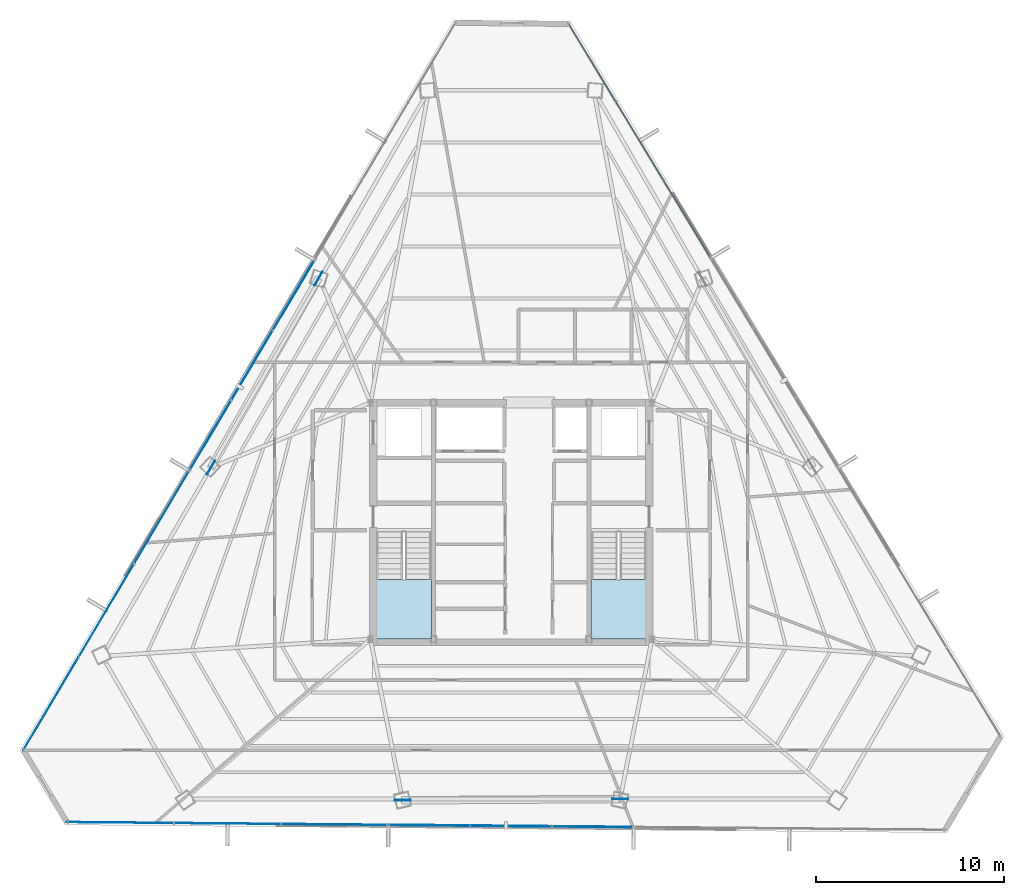
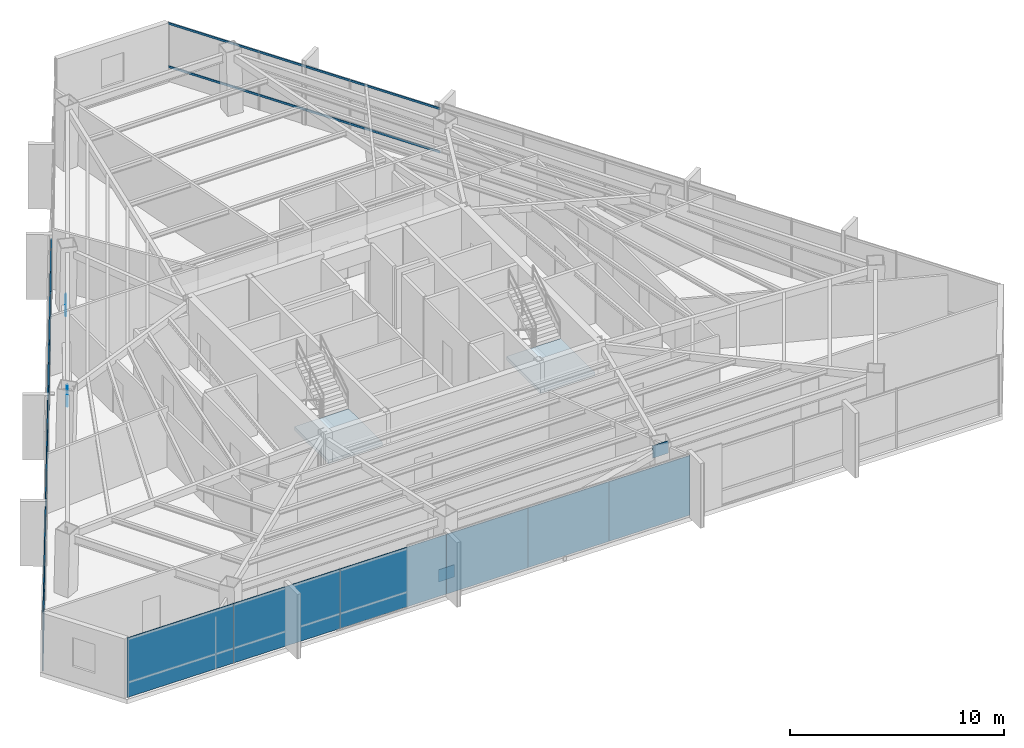
# One storey, part 38 of 47: 16 plates, 2 members, 2 slabs, 7 elements without a shape of their own.
"""IFC4 building model written with IfcOpenShell, lengths in metres."""

from ifc_helpers import new_model, si_unit, direction, frame, origin, origin_2d, place, context, subcontext, project, spatial, polyline, rectangle, hollow_rectangle, outline, extrude, source, transform, mapped, material, layer, layer_set, material_profile, profile_set, type_object, type_shapes, element, aggregate, save


model = new_model("IFC4")

# Units and contexts
model_context = context("Model", 3, precision=1e-05, world=origin(), true_north=direction((0.0, 1.0)))
body_context = subcontext(model_context, "Body", "Model", "MODEL_VIEW")
ifc_project = project(units=[si_unit("LENGTHUNIT", "METRE"), si_unit("AREAUNIT", "SQUARE_METRE"), si_unit("VOLUMEUNIT", "CUBIC_METRE"), si_unit("PLANEANGLEUNIT", "RADIAN"), si_unit("MASSUNIT", "GRAM", prefix="KILO")], contexts=[model_context])

# Site, building, storey
site_placement = place(None, origin())
site = spatial("IfcSite", under=ifc_project, at=site_placement, CompositionType="ELEMENT")
building_placement = place(site_placement, origin())
building = spatial("IfcBuilding", under=site, at=building_placement, Name="Caelisora Broadcast Tower", CompositionType="ELEMENT")
storey_placement = place(building_placement, frame((0.0, 0.0, 229.85009765625)))
storey = spatial("IfcBuildingStorey", under=building, at=storey_placement, Name="L60", CompositionType="ELEMENT", Elevation=229.85009765625)

# Curtain wall, members
ifc_material_1 = material(Name="Unitised Aluminium and Low-E Glass Curtain Wall", Category="glass")
curtain_wall_type_1 = type_object("IfcCurtainWallType", Name="CW-Z5", PredefinedType="NOTDEFINED", material=ifc_material_1)
curtain_wall_1_placement = place(storey_placement, origin())
curtain_wall_1 = element("IfcCurtainWall", 1, at=curtain_wall_1_placement, inside=storey, type_object=curtain_wall_type_1, Name="L60 curtain wall CW-Z5", PredefinedType="NOTDEFINED")
ifc_material_2 = material(Name="Aluminium 6063-T6 Anodised Terracotta Bronze", Category="aluminium")
ifc_material_profile = material_profile(ifc_material_2, hollow_rectangle(XDim=0.06005859375, YDim=0.1201171875, WallThickness=0.0029296875, at=origin_2d()), Name="Aluminium 6063-T6 Anodised Terracotta Bronze")
ifc_profile_set = profile_set([ifc_material_profile], Name="Aluminium 6063-T6 Anodised Terracotta Bronze")
member_type = type_object("IfcMemberType", Name="CWT-03", PredefinedType="USERDEFINED", material=ifc_profile_set)
shared_shape_1 = source(origin(), body_context, "Body", "SweptSolid", [
    extrude(hollow_rectangle(XDim=0.06005859375, YDim=0.1201171875, WallThickness=0.0029296875, at=origin_2d()), origin(), (0.0, 0.0, 1.0), 14.48876953125),
])
type_shapes(member_type, [shared_shape_1])
member_1_placement = place(storey_placement, frame((41.0869140625, 50.14013671875, 0.849853515625), z_axis=(0.518432789171, -0.85511837959, 0.0), x_axis=(0.85511837959, 0.518432789171, 0.0)))
member_1 = element("IfcMember", 2, at=member_1_placement, type_object=member_type, Name="L60-CW-B01 transom #1", ObjectType="TRANSOM", PredefinedType="USERDEFINED", context=body_context, shape_type="MappedRepresentation", body=[
    mapped(shared_shape_1, transform((0.0, 0.0, 0.0), scale=1.0)),
])
member_2_placement = place(storey_placement, frame((41.0869140625, 50.14013671875, 3.31982421875), z_axis=(0.518432789171, -0.85511837959, 0.0), x_axis=(0.85511837959, 0.518432789171, 0.0)))
member_2 = element("IfcMember", 3, at=member_2_placement, type_object=member_type, Name="L60-CW-B01 transom #2", ObjectType="TRANSOM", PredefinedType="USERDEFINED", context=body_context, shape_type="MappedRepresentation", body=[
    mapped(shared_shape_1, transform((0.0, 0.0, 0.0), scale=1.0)),
])
aggregate(curtain_wall_1, [member_1, member_2])

# Stair, slab
ifc_material_3 = material(Name="Concrete 40 MPa (AS 3600 N40)", Category="concrete")
stair_type_1 = type_object("IfcStairType", Name="ST-1", PredefinedType="HALF_TURN_STAIR", material=ifc_material_3)
stair_1_placement = place(storey_placement, origin())
stair_1 = element("IfcStair", 4, at=stair_1_placement, inside=storey, type_object=stair_type_1, Name="L60 West Fire-Isolated Tower Stair", PredefinedType="HALF_TURN_STAIR")
ifc_layer_1 = layer(ifc_material_3, 0.199951171875, Name="Concrete 40 MPa (AS 3600 N40)")
ifc_layer_set_1 = layer_set([ifc_layer_1], Name="Concrete 40 MPa (AS 3600 N40)")
slab_type = type_object("IfcSlabType", Name="STL-1", PredefinedType="LANDING", material=ifc_layer_set_1)
slab_1_placement = place(storey_placement, frame((0.0, 0.0, 1.625)))
slab_1 = element("IfcSlab", 5, at=slab_1_placement, type_object=slab_type, Name="ST-1 landing 1", PredefinedType="LANDING", context=body_context, shape_type="SweptSolid", body=[
    extrude(outline(polyline([(30.820068359375, 20.580078125), (30.820068359375, 17.39990234375), (33.739990234375, 17.39990234375), (33.739990234375, 20.580078125), (30.820068359375, 20.580078125)])), origin(), (0.0, 0.0, 1.0), 0.199951171875),
])
aggregate(stair_1, [slab_1])

stair_type_2 = type_object("IfcStairType", Name="ST-2", PredefinedType="HALF_TURN_STAIR", material=ifc_material_3)
stair_2_placement = place(storey_placement, origin())
stair_2 = element("IfcStair", 6, at=stair_2_placement, inside=storey, type_object=stair_type_2, Name="L60 East Fire-Isolated Tower Stair", PredefinedType="HALF_TURN_STAIR")
slab_2_placement = place(storey_placement, frame((0.0, 0.0, 1.625)))
slab_2 = element("IfcSlab", 7, at=slab_2_placement, type_object=slab_type, Name="ST-2 landing 1", PredefinedType="LANDING", context=body_context, shape_type="SweptSolid", body=[
    extrude(outline(polyline([(42.260009765625, 20.580078125), (42.260009765625, 17.39990234375), (45.179931640625, 17.39990234375), (45.179931640625, 20.580078125), (42.260009765625, 20.580078125)])), origin(), (0.0, 0.0, 1.0), 0.199951171875),
])
aggregate(stair_2, [slab_2])

# Plates
ifc_material_4 = material(Name="Steel Grade 350 L15 (AS/NZS 3678)", Category="steel")
ifc_layer_2 = layer(ifc_material_4, 0.0400390625, Name="Steel Grade 350 L15 (AS/NZS 3678)")
ifc_layer_set_2 = layer_set([ifc_layer_2], Name="Steel Grade 350 L15 (AS/NZS 3678)")
plate_type_1 = type_object("IfcPlateType", Name="GP04", PredefinedType="USERDEFINED", material=ifc_layer_set_2)
shared_shape_2 = source(origin(), body_context, "Body", "SweptSolid", [
    extrude(rectangle(XDim=0.85009765625, YDim=0.0400390625, at=origin_2d()), origin(), (0.0, 0.0, 1.0), 0.699951171875),
])
type_shapes(plate_type_1, [shared_shape_2])
for number, where, z_axis, x_axis, name in (
    (8, (27.734375, 36.607421875, -0.22998046875), (0.0, 0.0, 1.0), (-0.5, -0.866025403784, 0.0), "L60 gusset plate GP04 (ND-L60-C02B)"),
    (9, (22.00341796875, 26.536376953125, 2.72998046875), (0.0, 0.0, 1.0), (-0.5, -0.866025403784, 0.0), "L60 gusset plate GP04 (ND-L60-C03T)"),
    (10, (32.214599609375, 8.805908203125, -0.22998046875), (0.0, 0.0, 1.0), (1.0, 0.0, 0.0), "L60 gusset plate GP04 (ND-L60-C06B)"),
    (11, (43.8017578125, 8.87841796875, 2.72998046875), (0.0, 0.0, 1.0), (1.0, 0.0, 0.0), "L60 gusset plate GP04 (ND-L60-C07T)"),
):
    element("IfcPlate", number, at=place(storey_placement, frame(where, z_axis=z_axis, x_axis=x_axis)), inside=storey, type_object=plate_type_1, Name=name, ObjectType="GUSSET PLATE", PredefinedType="USERDEFINED", context=body_context, shape_type="MappedRepresentation", body=[
        mapped(shared_shape_2, transform((0.0, 0.0, 0.0), scale=1.0)),
    ])

# Curtain wall, plates
ifc_material_5 = material(Name="Unitised Aluminium Insulated Shadow-Box Spandrel Curtain Wall", Category="aluminium")
curtain_wall_type_2 = type_object("IfcCurtainWallType", Name="CW-SP3", PredefinedType="NOTDEFINED", material=ifc_material_5)
curtain_wall_2_placement = place(storey_placement, origin())
curtain_wall_2 = element("IfcCurtainWall", 12, at=curtain_wall_2_placement, inside=storey, type_object=curtain_wall_type_2, Name="L60 curtain wall CW-SP3", PredefinedType="NOTDEFINED")
ifc_material_6 = material(Name="Insulated Terracotta Shadow-Box Spandrel Panel", Category="aluminium")
ifc_layer_3 = layer(ifc_material_6, 0.0439453125, Name="Insulated Terracotta Shadow-Box Spandrel Panel")
ifc_layer_set_3 = layer_set([ifc_layer_3], Name="Insulated Terracotta Shadow-Box Spandrel Panel")
plate_type_2 = type_object("IfcPlateType", Name="CWP-10", PredefinedType="CURTAIN_PANEL", material=ifc_layer_set_3)
shared_shape_3 = source(origin(), body_context, "Body", "SweptSolid", [
    extrude(rectangle(XDim=4.353515625, YDim=0.0439453125, at=origin_2d()), origin(), (0.0, 0.0, 1.0), 3.39990234375),
])
plate_1_placement = place(storey_placement, frame((42.341064453125, 7.396484375, 0.0), z_axis=(0.0, 0.0, 1.0), x_axis=(-0.999960384766, 0.008901061644, 0.0)))
plate_1 = element("IfcPlate", 13, at=plate_1_placement, type_object=plate_type_2, Name="L60-CW-B06 spandrel panel #1", PredefinedType="CURTAIN_PANEL", context=body_context, shape_type="MappedRepresentation", body=[
    mapped(shared_shape_3, transform((0.0, 0.0, 0.0), scale=1.0)),
])
plate_2_placement = place(storey_placement, frame((37.98779296875, 7.43505859375, 0.0), z_axis=(0.0, 0.0, 1.0), x_axis=(-0.999960384766, 0.008901061644, 0.0)))
plate_2 = element("IfcPlate", 14, at=plate_2_placement, type_object=plate_type_2, Name="L60-CW-B06 spandrel panel #2", PredefinedType="CURTAIN_PANEL", context=body_context, shape_type="MappedRepresentation", body=[
    mapped(shared_shape_3, transform((0.0, 0.0, 0.0), scale=1.0)),
])
plate_3_placement = place(storey_placement, frame((33.634521484375, 7.4736328125, 0.0), z_axis=(0.0, 0.0, 1.0), x_axis=(-0.999960384766, 0.008901061644, 0.0)))
plate_3 = element("IfcPlate", 15, at=plate_3_placement, type_object=plate_type_2, Name="L60-CW-B06 spandrel panel #3", PredefinedType="CURTAIN_PANEL", context=body_context, shape_type="MappedRepresentation", body=[
    mapped(shared_shape_3, transform((0.0, 0.0, 0.0), scale=1.0)),
])
aggregate(curtain_wall_2, [plate_1, plate_2, plate_3])

curtain_wall_3_placement = place(storey_placement, origin())
curtain_wall_3 = element("IfcCurtainWall", 16, at=curtain_wall_3_placement, inside=storey, type_object=curtain_wall_type_1, Name="L60 curtain wall CW-Z5", PredefinedType="NOTDEFINED")
ifc_material_7 = material(Name="Double Glazed Low-E Argon IGU", Category="glass")
ifc_layer_4 = layer(ifc_material_7, 0.028076171875, Name="Double Glazed Low-E Argon IGU")
ifc_layer_set_4 = layer_set([ifc_layer_4], Name="Double Glazed Low-E Argon IGU")
plate_type_3 = type_object("IfcPlateType", Name="CWP-06", PredefinedType="CURTAIN_PANEL", material=ifc_layer_set_4)
shared_shape_4 = source(origin(), body_context, "Body", "SweptSolid", [
    extrude(rectangle(XDim=5.709228515625, YDim=0.028076171875, at=origin_2d()), origin(), (0.0, 0.0, 1.0), 3.39990234375),
])
plate_4_placement = place(storey_placement, frame((28.593505859375, 7.518310546875, 0.0), z_axis=(0.0, 0.0, 1.0), x_axis=(-0.999960384766, 0.008901061644, 0.0)))
plate_4 = element("IfcPlate", 17, at=plate_4_placement, type_object=plate_type_3, Name="L60-CW-B07 glazed panel #1", PredefinedType="CURTAIN_PANEL", context=body_context, shape_type="MappedRepresentation", body=[
    mapped(shared_shape_4, transform((0.0, 0.0, 0.0), scale=1.0)),
])
plate_5_placement = place(storey_placement, frame((22.884521484375, 7.569091796875, 0.0), z_axis=(0.0, 0.0, 1.0), x_axis=(-0.999960384766, 0.008901061644, 0.0)))
plate_5 = element("IfcPlate", 18, at=plate_5_placement, type_object=plate_type_3, Name="L60-CW-B07 glazed panel #2", PredefinedType="CURTAIN_PANEL", context=body_context, shape_type="MappedRepresentation", body=[
    mapped(shared_shape_4, transform((0.0, 0.0, 0.0), scale=1.0)),
])
plate_6_placement = place(storey_placement, frame((17.175537109375, 7.61962890625, 0.0), z_axis=(0.0, 0.0, 1.0), x_axis=(-0.999960384766, 0.008901061644, 0.0)))
plate_6 = element("IfcPlate", 19, at=plate_6_placement, type_object=plate_type_3, Name="L60-CW-B07 glazed panel #3", PredefinedType="CURTAIN_PANEL", context=body_context, shape_type="MappedRepresentation", body=[
    mapped(shared_shape_4, transform((0.0, 0.0, 0.0), scale=1.0)),
])
aggregate(curtain_wall_3, [plate_4, plate_5, plate_6])

curtain_wall_4_placement = place(storey_placement, origin())
curtain_wall_4 = element("IfcCurtainWall", 20, at=curtain_wall_4_placement, inside=storey, type_object=curtain_wall_type_1, Name="L60 curtain wall CW-Z5", PredefinedType="NOTDEFINED")
shared_shape_5 = source(origin(), body_context, "Body", "SweptSolid", [
    extrude(rectangle(XDim=5.773193359375, YDim=0.028076171875, at=origin_2d()), origin(), (0.0, 0.0, 1.0), 3.39990234375),
])
type_shapes(plate_type_3, [shared_shape_4, shared_shape_5])
plate_7_placement = place(storey_placement, frame((13.474609375, 13.95556640625, 0.0), z_axis=(0.0, 0.0, 1.0), x_axis=(0.510843031866, 0.859674006117, 0.0)))
plate_7 = element("IfcPlate", 21, at=plate_7_placement, type_object=plate_type_3, Name="L60-CW-B09 glazed panel #1", PredefinedType="CURTAIN_PANEL", context=body_context, shape_type="MappedRepresentation", body=[
    mapped(shared_shape_5, transform((0.0, 0.0, 0.0), scale=1.0)),
])
plate_8_placement = place(storey_placement, frame((16.423828125, 18.91845703125, 0.0), z_axis=(0.0, 0.0, 1.0), x_axis=(0.510843031866, 0.859674006117, 0.0)))
plate_8 = element("IfcPlate", 22, at=plate_8_placement, type_object=plate_type_3, Name="L60-CW-B09 glazed panel #2", PredefinedType="CURTAIN_PANEL", context=body_context, shape_type="MappedRepresentation", body=[
    mapped(shared_shape_5, transform((0.0, 0.0, 0.0), scale=1.0)),
])
plate_9_placement = place(storey_placement, frame((19.373046875, 23.88134765625, 0.0), z_axis=(0.0, 0.0, 1.0), x_axis=(0.510843031866, 0.859674006117, 0.0)))
plate_9 = element("IfcPlate", 23, at=plate_9_placement, type_object=plate_type_3, Name="L60-CW-B09 glazed panel #3", PredefinedType="CURTAIN_PANEL", context=body_context, shape_type="MappedRepresentation", body=[
    mapped(shared_shape_5, transform((0.0, 0.0, 0.0), scale=1.0)),
])
aggregate(curtain_wall_4, [plate_7, plate_8, plate_9])

curtain_wall_5_placement = place(storey_placement, origin())
curtain_wall_5 = element("IfcCurtainWall", 24, at=curtain_wall_5_placement, inside=storey, type_object=curtain_wall_type_2, Name="L60 curtain wall CW-SP3", PredefinedType="NOTDEFINED")
shared_shape_6 = source(origin(), body_context, "Body", "SweptSolid", [
    extrude(rectangle(XDim=4.353271484375, YDim=0.0439453125, at=origin_2d()), origin(), (0.0, 0.0, 1.0), 3.39990234375),
])
type_shapes(plate_type_2, [shared_shape_3, shared_shape_6])
plate_10_placement = place(storey_placement, frame((21.964599609375, 28.24267578125, 0.0), z_axis=(0.0, 0.0, 1.0), x_axis=(0.510843031866, 0.859674006117, 0.0)))
plate_10 = element("IfcPlate", 25, at=plate_10_placement, type_object=plate_type_2, Name="L60-CW-B10 spandrel panel #1", PredefinedType="CURTAIN_PANEL", context=body_context, shape_type="MappedRepresentation", body=[
    mapped(shared_shape_6, transform((0.0, 0.0, 0.0), scale=1.0)),
])
plate_11_placement = place(storey_placement, frame((24.188720703125, 31.985107421875, 0.0), z_axis=(0.0, 0.0, 1.0), x_axis=(0.510843031866, 0.859674006117, 0.0)))
plate_11 = element("IfcPlate", 26, at=plate_11_placement, type_object=plate_type_2, Name="L60-CW-B10 spandrel panel #2", PredefinedType="CURTAIN_PANEL", context=body_context, shape_type="MappedRepresentation", body=[
    mapped(shared_shape_6, transform((0.0, 0.0, 0.0), scale=1.0)),
])
plate_12_placement = place(storey_placement, frame((26.412353515625, 35.7275390625, 0.0), z_axis=(0.0, 0.0, 1.0), x_axis=(0.510843031866, 0.859674006117, 0.0)))
plate_12 = element("IfcPlate", 27, at=plate_12_placement, type_object=plate_type_2, Name="L60-CW-B10 spandrel panel #3", PredefinedType="CURTAIN_PANEL", context=body_context, shape_type="MappedRepresentation", body=[
    mapped(shared_shape_6, transform((0.0, 0.0, 0.0), scale=1.0)),
])
aggregate(curtain_wall_5, [plate_10, plate_11, plate_12])

save(model, "model.ifc")
